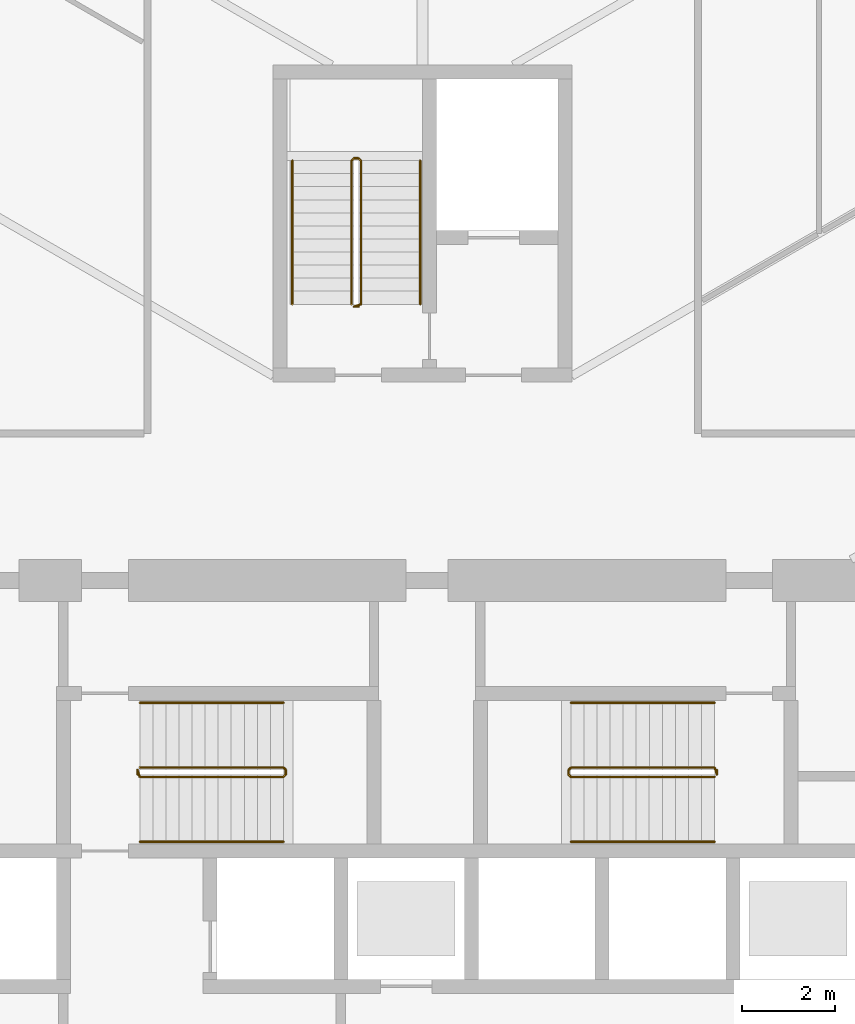
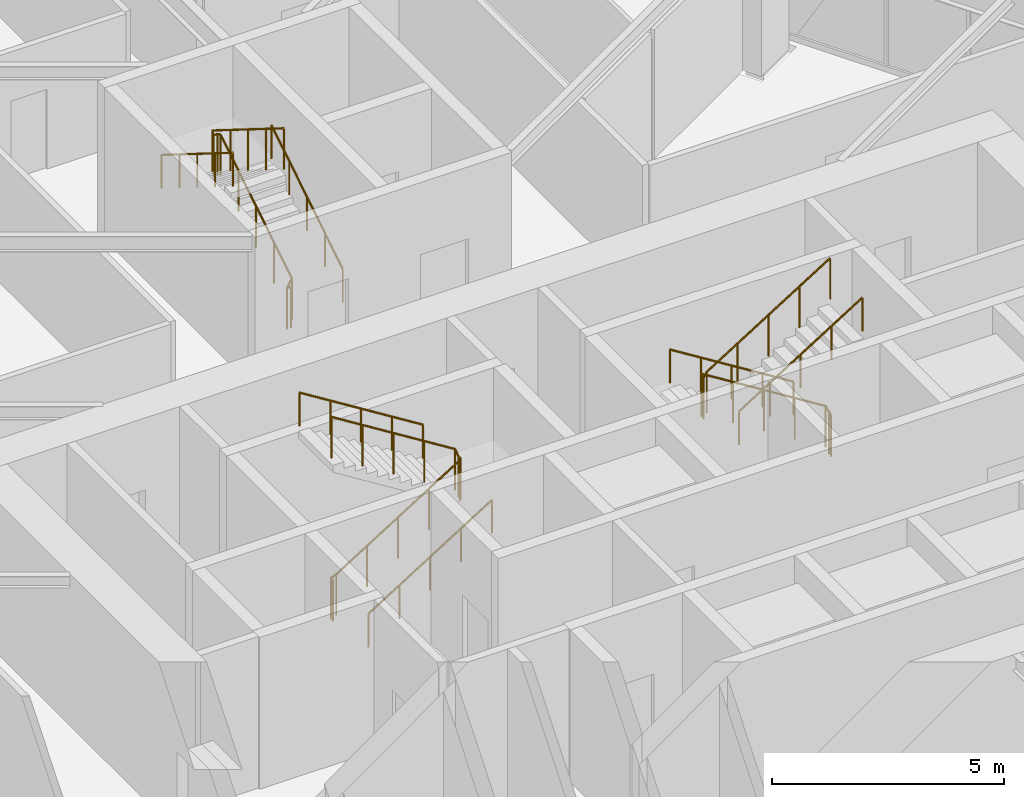
# One storey, part 25 of 26: 9 railings.
"""IFC4 building model written with IfcOpenShell, lengths in metres."""

from ifc_helpers import new_model, si_unit, direction, frame, origin, origin_2d, place, context, subcontext, project, spatial, circle, extrude, material, type_object, element, save


model = new_model("IFC4")

# Units and contexts
model_context = context("Model", 3, precision=1e-05, world=origin(), true_north=direction((0.0, 1.0)))
body_context = subcontext(model_context, "Body", "Model", "MODEL_VIEW")
ifc_project = project(units=[si_unit("LENGTHUNIT", "METRE"), si_unit("AREAUNIT", "SQUARE_METRE"), si_unit("VOLUMEUNIT", "CUBIC_METRE"), si_unit("PLANEANGLEUNIT", "RADIAN"), si_unit("MASSUNIT", "GRAM", prefix="KILO")], contexts=[model_context])

# Site, building, storey
site_placement = place(None, origin())
site = spatial("IfcSite", under=ifc_project, at=site_placement, CompositionType="ELEMENT")
building_placement = place(site_placement, origin())
building = spatial("IfcBuilding", under=site, at=building_placement, Name="Firuza Gate Tower and Library", CompositionType="ELEMENT")
storey_placement = place(building_placement, frame((0.0, 0.0, 40.0)))
storey = spatial("IfcBuildingStorey", under=building, at=storey_placement, Name="L08", CompositionType="ELEMENT", Elevation=40.0)

# Railings
ifc_material_1 = material(Name="Steel S355", Category="steel")
railing_type_1 = type_object("IfcRailingType", Name="Stair guard 1100", PredefinedType="GUARDRAIL", material=ifc_material_1)
railing_1_placement = place(storey_placement, frame((68.889892578125, 79.389892578125, 0.0)))
element("IfcRailing", 1, at=railing_1_placement, inside=storey, type_object=railing_type_1, Name="L08 ST1 stair guard 1", PredefinedType="GUARDRAIL", context=body_context, shape_type="SweptSolid", body=[
    extrude(circle(Radius=0.02392578125, at=origin_2d()), frame((0.0, 0.0, 1.076171875), z_axis=(0.0, 1.0, 0.0), x_axis=(-1.0, 0.0, 0.0)), (0.0, 0.0, 1.0), 0.10009765625),
    extrude(circle(Radius=0.02392578125, at=origin_2d()), frame((0.0, 0.10009765625, 1.076171875), z_axis=(0.21222055169, -0.635626432867, 0.742254319813), x_axis=(0.948528701346, 0.316691178788, 0.0)), (0.0, 0.0, 1.0), 0.23583984375),
    extrude(circle(Radius=0.02392578125, at=origin_2d()), frame((0.050048828125, -0.0498046875, 1.2509765625), z_axis=(0.847998304005, 0.0, 0.529998940003), x_axis=(0.0, 1.0, 0.0)), (0.0, 0.0, 1.0), 3.632080078125),
    extrude(circle(Radius=0.02392578125, at=origin_2d()), frame((3.130126953125, -0.0498046875, 3.17626953125), z_axis=(0.708833529934, 0.705375805398, 0.0), x_axis=(-0.705375805398, 0.708833529934, 0.0)), (0.0, 0.0, 1.0), 0.070556640625),
    extrude(circle(Radius=0.02392578125, at=origin_2d()), frame((3.18017578125, 0.0, 3.17626953125), z_axis=(0.0, 1.0, 0.0), x_axis=(-1.0, 0.0, 0.0)), (0.0, 0.0, 1.0), 0.10009765625),
    extrude(circle(Radius=0.02392578125, at=origin_2d()), frame((3.18017578125, 0.10009765625, 3.17626953125), z_axis=(-0.265383341853, 0.265383341853, 0.926899867156), x_axis=(-0.707106781187, -0.707106781187, 0.0)), (0.0, 0.0, 1.0), 0.1884765625),
    extrude(circle(Radius=0.02392578125, at=origin_2d()), frame((3.130126953125, 0.150146484375, 3.35107421875), z_axis=(-0.847998304005, 0.0, 0.529998940003), x_axis=(0.0, -1.0, 0.0)), (0.0, 0.0, 1.0), 3.632080078125),
    extrude(circle(Radius=0.02099609375, at=origin_2d()), origin(), (0.0, 0.0, 1.0), 1.052001953125),
    extrude(circle(Radius=0.02099609375, at=origin_2d()), frame((0.0, 0.10009765625, 0.0)), (0.0, 0.0, 1.0), 1.052001953125),
    extrude(circle(Radius=0.02099609375, at=origin_2d()), frame((0.050048828125, -0.0498046875, 0.175048828125)), (0.0, 0.0, 1.0), 1.052001953125),
    extrude(circle(Radius=0.02099609375, at=origin_2d()), frame((0.820068359375, -0.0498046875, 0.65625)), (0.0, 0.0, 1.0), 1.052001953125),
    extrude(circle(Radius=0.02099609375, at=origin_2d()), frame((1.590087890625, -0.0498046875, 1.1376953125)), (0.0, 0.0, 1.0), 1.052001953125),
    extrude(circle(Radius=0.02099609375, at=origin_2d()), frame((2.360107421875, -0.0498046875, 1.618896484375)), (0.0, 0.0, 1.0), 1.052001953125),
    extrude(circle(Radius=0.02099609375, at=origin_2d()), frame((3.130126953125, -0.0498046875, 2.10009765625)), (0.0, 0.0, 1.0), 1.052001953125),
    extrude(circle(Radius=0.02099609375, at=origin_2d()), frame((3.18017578125, 0.0, 2.10009765625)), (0.0, 0.0, 1.0), 1.052001953125),
    extrude(circle(Radius=0.02099609375, at=origin_2d()), frame((3.18017578125, 0.10009765625, 2.10009765625)), (0.0, 0.0, 1.0), 1.052001953125),
    extrude(circle(Radius=0.02099609375, at=origin_2d()), frame((3.130126953125, 0.150146484375, 2.27490234375)), (0.0, 0.0, 1.0), 1.052001953125),
    extrude(circle(Radius=0.02099609375, at=origin_2d()), frame((2.360107421875, 0.150146484375, 2.756103515625)), (0.0, 0.0, 1.0), 1.052001953125),
    extrude(circle(Radius=0.02099609375, at=origin_2d()), frame((1.590087890625, 0.150146484375, 3.2373046875)), (0.0, 0.0, 1.0), 1.052001953125),
    extrude(circle(Radius=0.02099609375, at=origin_2d()), frame((0.820068359375, 0.150146484375, 3.71875)), (0.0, 0.0, 1.0), 1.052001953125),
    extrude(circle(Radius=0.02099609375, at=origin_2d()), frame((0.050048828125, 0.150146484375, 4.199951171875)), (0.0, 0.0, 1.0), 1.052001953125),
])
railing_2_placement = place(storey_placement, frame((81.31005859375, 79.489990234375, 0.0)))
element("IfcRailing", 2, at=railing_2_placement, inside=storey, type_object=railing_type_1, Name="L08 ST2 stair guard 1", PredefinedType="GUARDRAIL", context=body_context, shape_type="SweptSolid", body=[
    extrude(circle(Radius=0.02392578125, at=origin_2d()), frame((0.0, 0.0, 1.076171875), z_axis=(0.0, -1.0, 0.0), x_axis=(1.0, 0.0, 0.0)), (0.0, 0.0, 1.0), 0.10009765625),
    extrude(circle(Radius=0.02392578125, at=origin_2d()), frame((0.0, -0.10009765625, 1.076171875), z_axis=(-0.212080931658, 0.636242794973, 0.741765990237), x_axis=(-0.948683298051, -0.316227766017, 0.0)), (0.0, 0.0, 1.0), 0.236083984375),
    extrude(circle(Radius=0.02392578125, at=origin_2d()), frame((-0.050048828125, 0.050048828125, 1.2509765625), z_axis=(-0.847998304005, 0.0, 0.529998940003), x_axis=(0.0, -1.0, 0.0)), (0.0, 0.0, 1.0), 3.632080078125),
    extrude(circle(Radius=0.02392578125, at=origin_2d()), frame((-3.130126953125, 0.050048828125, 3.17626953125), z_axis=(-0.707106781187, -0.707106781187, 0.0), x_axis=(0.707106781187, -0.707106781187, 0.0)), (0.0, 0.0, 1.0), 0.07080078125),
    extrude(circle(Radius=0.02392578125, at=origin_2d()), frame((-3.18017578125, 0.0, 3.17626953125), z_axis=(0.0, -1.0, 0.0), x_axis=(1.0, 0.0, 0.0)), (0.0, 0.0, 1.0), 0.10009765625),
    extrude(circle(Radius=0.02392578125, at=origin_2d()), frame((-3.18017578125, -0.10009765625, 3.17626953125), z_axis=(0.265474339444, -0.264179342666, 0.927217692888), x_axis=(0.705375805398, 0.708833529934, 0.0)), (0.0, 0.0, 1.0), 0.1884765625),
    extrude(circle(Radius=0.02392578125, at=origin_2d()), frame((-3.130126953125, -0.14990234375, 3.35107421875), z_axis=(0.847998304005, 0.0, 0.529998940003), x_axis=(0.0, 1.0, 0.0)), (0.0, 0.0, 1.0), 3.632080078125),
    extrude(circle(Radius=0.02099609375, at=origin_2d()), origin(), (0.0, 0.0, 1.0), 1.052001953125),
    extrude(circle(Radius=0.02099609375, at=origin_2d()), frame((0.0, -0.10009765625, 0.0)), (0.0, 0.0, 1.0), 1.052001953125),
    extrude(circle(Radius=0.02099609375, at=origin_2d()), frame((-0.050048828125, 0.050048828125, 0.175048828125)), (0.0, 0.0, 1.0), 1.052001953125),
    extrude(circle(Radius=0.02099609375, at=origin_2d()), frame((-0.820068359375, 0.050048828125, 0.65625)), (0.0, 0.0, 1.0), 1.052001953125),
    extrude(circle(Radius=0.02099609375, at=origin_2d()), frame((-1.590087890625, 0.050048828125, 1.1376953125)), (0.0, 0.0, 1.0), 1.052001953125),
    extrude(circle(Radius=0.02099609375, at=origin_2d()), frame((-2.360107421875, 0.050048828125, 1.618896484375)), (0.0, 0.0, 1.0), 1.052001953125),
    extrude(circle(Radius=0.02099609375, at=origin_2d()), frame((-3.130126953125, 0.050048828125, 2.10009765625)), (0.0, 0.0, 1.0), 1.052001953125),
    extrude(circle(Radius=0.02099609375, at=origin_2d()), frame((-3.18017578125, 0.0, 2.10009765625)), (0.0, 0.0, 1.0), 1.052001953125),
    extrude(circle(Radius=0.02099609375, at=origin_2d()), frame((-3.18017578125, -0.10009765625, 2.10009765625)), (0.0, 0.0, 1.0), 1.052001953125),
    extrude(circle(Radius=0.02099609375, at=origin_2d()), frame((-3.130126953125, -0.14990234375, 2.27490234375)), (0.0, 0.0, 1.0), 1.052001953125),
    extrude(circle(Radius=0.02099609375, at=origin_2d()), frame((-2.360107421875, -0.14990234375, 2.756103515625)), (0.0, 0.0, 1.0), 1.052001953125),
    extrude(circle(Radius=0.02099609375, at=origin_2d()), frame((-1.590087890625, -0.14990234375, 3.2373046875)), (0.0, 0.0, 1.0), 1.052001953125),
    extrude(circle(Radius=0.02099609375, at=origin_2d()), frame((-0.820068359375, -0.14990234375, 3.71875)), (0.0, 0.0, 1.0), 1.052001953125),
    extrude(circle(Radius=0.02099609375, at=origin_2d()), frame((-0.050048828125, -0.14990234375, 4.199951171875)), (0.0, 0.0, 1.0), 1.052001953125),
])
railing_3_placement = place(storey_placement, frame((73.6298828125, 89.419921875, 0.0)))
element("IfcRailing", 3, at=railing_3_placement, inside=storey, type_object=railing_type_1, Name="L08 ST3 stair guard 1", PredefinedType="GUARDRAIL", context=body_context, shape_type="SweptSolid", body=[
    extrude(circle(Radius=0.02392578125, at=origin_2d()), frame((0.0, 0.0, 1.076171875), z_axis=(-1.0, 0.0, 0.0), x_axis=(0.0, -1.0, 0.0)), (0.0, 0.0, 1.0), 0.099853515625),
    extrude(circle(Radius=0.02392578125, at=origin_2d()), frame((-0.099853515625, 0.0, 1.076171875), z_axis=(0.635626432867, 0.21222055169, 0.742254319813), x_axis=(-0.316691178788, 0.948528701346, 0.0)), (0.0, 0.0, 1.0), 0.23583984375),
    extrude(circle(Radius=0.02392578125, at=origin_2d()), frame((0.050048828125, 0.050048828125, 1.2509765625), z_axis=(0.0, 0.847998304005, 0.529998940003), x_axis=(-1.0, 0.0, 0.0)), (0.0, 0.0, 1.0), 3.632080078125),
    extrude(circle(Radius=0.02392578125, at=origin_2d()), frame((0.050048828125, 3.130126953125, 3.17626953125), z_axis=(-0.707106781187, 0.707106781187, 0.0), x_axis=(-0.707106781187, -0.707106781187, 0.0)), (0.0, 0.0, 1.0), 0.07080078125),
    extrude(circle(Radius=0.02392578125, at=origin_2d()), frame((0.0, 3.18017578125, 3.17626953125), z_axis=(-1.0, 0.0, 0.0), x_axis=(0.0, -1.0, 0.0)), (0.0, 0.0, 1.0), 0.099853515625),
    extrude(circle(Radius=0.02392578125, at=origin_2d()), frame((-0.099853515625, 3.18017578125, 3.17626953125), z_axis=(-0.265383341853, -0.265383341853, 0.926899867156), x_axis=(0.707106781187, -0.707106781187, 0.0)), (0.0, 0.0, 1.0), 0.1884765625),
    extrude(circle(Radius=0.02392578125, at=origin_2d()), frame((-0.14990234375, 3.130126953125, 3.35107421875), z_axis=(0.0, -0.847998304005, 0.529998940003), x_axis=(1.0, 0.0, 0.0)), (0.0, 0.0, 1.0), 3.632080078125),
    extrude(circle(Radius=0.02099609375, at=origin_2d()), origin(), (0.0, 0.0, 1.0), 1.052001953125),
    extrude(circle(Radius=0.02099609375, at=origin_2d()), frame((-0.099853515625, 0.0, 0.0)), (0.0, 0.0, 1.0), 1.052001953125),
    extrude(circle(Radius=0.02099609375, at=origin_2d()), frame((0.050048828125, 0.050048828125, 0.175048828125)), (0.0, 0.0, 1.0), 1.052001953125),
    extrude(circle(Radius=0.02099609375, at=origin_2d()), frame((0.050048828125, 0.820068359375, 0.65625)), (0.0, 0.0, 1.0), 1.052001953125),
    extrude(circle(Radius=0.02099609375, at=origin_2d()), frame((0.050048828125, 1.590087890625, 1.1376953125)), (0.0, 0.0, 1.0), 1.052001953125),
    extrude(circle(Radius=0.02099609375, at=origin_2d()), frame((0.050048828125, 2.360107421875, 1.618896484375)), (0.0, 0.0, 1.0), 1.052001953125),
    extrude(circle(Radius=0.02099609375, at=origin_2d()), frame((0.050048828125, 3.130126953125, 2.10009765625)), (0.0, 0.0, 1.0), 1.052001953125),
    extrude(circle(Radius=0.02099609375, at=origin_2d()), frame((0.0, 3.18017578125, 2.10009765625)), (0.0, 0.0, 1.0), 1.052001953125),
    extrude(circle(Radius=0.02099609375, at=origin_2d()), frame((-0.099853515625, 3.18017578125, 2.10009765625)), (0.0, 0.0, 1.0), 1.052001953125),
    extrude(circle(Radius=0.02099609375, at=origin_2d()), frame((-0.14990234375, 3.130126953125, 2.27490234375)), (0.0, 0.0, 1.0), 1.052001953125),
    extrude(circle(Radius=0.02099609375, at=origin_2d()), frame((-0.14990234375, 2.360107421875, 2.756103515625)), (0.0, 0.0, 1.0), 1.052001953125),
    extrude(circle(Radius=0.02099609375, at=origin_2d()), frame((-0.14990234375, 1.590087890625, 3.2373046875)), (0.0, 0.0, 1.0), 1.052001953125),
    extrude(circle(Radius=0.02099609375, at=origin_2d()), frame((-0.14990234375, 0.820068359375, 3.71875)), (0.0, 0.0, 1.0), 1.052001953125),
    extrude(circle(Radius=0.02099609375, at=origin_2d()), frame((-0.14990234375, 0.050048828125, 4.199951171875)), (0.0, 0.0, 1.0), 1.052001953125),
])
ifc_material_2 = material(Name="Steel S355", Category="steel")
railing_type_2 = type_object("IfcRailingType", Name="Stair handrail 900", PredefinedType="HANDRAIL", material=ifc_material_2)
railing_4_placement = place(storey_placement, frame((68.93994140625, 77.949951171875, 0.175048828125)))
element("IfcRailing", 4, at=railing_4_placement, inside=storey, type_object=railing_type_2, Name="L08 ST1 stair handrail 1", PredefinedType="HANDRAIL", context=body_context, shape_type="SweptSolid", body=[
    extrude(circle(Radius=0.02392578125, at=origin_2d()), frame((0.0, 0.0, 0.8759765625), z_axis=(0.847998304005, 0.0, 0.529998940003), x_axis=(0.0, 1.0, 0.0)), (0.0, 0.0, 1.0), 3.632080078125),
    extrude(circle(Radius=0.02099609375, at=origin_2d()), origin(), (0.0, 0.0, 1.0), 0.851806640625),
    extrude(circle(Radius=0.02099609375, at=origin_2d()), frame((0.77001953125, 0.0, 0.481201171875)), (0.0, 0.0, 1.0), 0.851806640625),
    extrude(circle(Radius=0.02099609375, at=origin_2d()), frame((1.5400390625, 0.0, 0.96240234375)), (0.0, 0.0, 1.0), 0.851806640625),
    extrude(circle(Radius=0.02099609375, at=origin_2d()), frame((2.31005859375, 0.0, 1.44384765625)), (0.0, 0.0, 1.0), 0.851806640625),
    extrude(circle(Radius=0.02099609375, at=origin_2d()), frame((3.080078125, 0.0, 1.925048828125)), (0.0, 0.0, 1.0), 0.851806640625),
])
for number, where, name in (
    (5, (72.02001953125, 80.929931640625, 2.27490234375), "L08 ST1 stair handrail 2"),
    (6, (81.260009765625, 80.929931640625, 0.175048828125), "L08 ST2 stair handrail 1"),
):
    element("IfcRailing", number, at=place(storey_placement, frame(where)), inside=storey, type_object=railing_type_2, Name=name, PredefinedType="HANDRAIL", context=body_context, shape_type="SweptSolid", body=[
        extrude(circle(Radius=0.02392578125, at=origin_2d()), frame((0.0, 0.0, 0.8759765625), z_axis=(-0.847998304005, 0.0, 0.529998940003), x_axis=(0.0, -1.0, 0.0)), (0.0, 0.0, 1.0), 3.632080078125),
        extrude(circle(Radius=0.02099609375, at=origin_2d()), origin(), (0.0, 0.0, 1.0), 0.851806640625),
        extrude(circle(Radius=0.02099609375, at=origin_2d()), frame((-0.77001953125, 0.0, 0.481201171875)), (0.0, 0.0, 1.0), 0.851806640625),
        extrude(circle(Radius=0.02099609375, at=origin_2d()), frame((-1.5400390625, 0.0, 0.96240234375)), (0.0, 0.0, 1.0), 0.851806640625),
        extrude(circle(Radius=0.02099609375, at=origin_2d()), frame((-2.31005859375, 0.0, 1.44384765625)), (0.0, 0.0, 1.0), 0.851806640625),
        extrude(circle(Radius=0.02099609375, at=origin_2d()), frame((-3.080078125, 0.0, 1.925048828125)), (0.0, 0.0, 1.0), 0.851806640625),
    ])
railing_5_placement = place(storey_placement, frame((78.179931640625, 77.949951171875, 2.27490234375)))
element("IfcRailing", 7, at=railing_5_placement, inside=storey, type_object=railing_type_2, Name="L08 ST2 stair handrail 2", PredefinedType="HANDRAIL", context=body_context, shape_type="SweptSolid", body=[
    extrude(circle(Radius=0.02392578125, at=origin_2d()), frame((0.0, 0.0, 0.8759765625), z_axis=(0.847998304005, 0.0, 0.529998940003), x_axis=(0.0, 1.0, 0.0)), (0.0, 0.0, 1.0), 3.632080078125),
    extrude(circle(Radius=0.02099609375, at=origin_2d()), origin(), (0.0, 0.0, 1.0), 0.851806640625),
    extrude(circle(Radius=0.02099609375, at=origin_2d()), frame((0.77001953125, 0.0, 0.481201171875)), (0.0, 0.0, 1.0), 0.851806640625),
    extrude(circle(Radius=0.02099609375, at=origin_2d()), frame((1.5400390625, 0.0, 0.96240234375)), (0.0, 0.0, 1.0), 0.851806640625),
    extrude(circle(Radius=0.02099609375, at=origin_2d()), frame((2.31005859375, 0.0, 1.44384765625)), (0.0, 0.0, 1.0), 0.851806640625),
    extrude(circle(Radius=0.02099609375, at=origin_2d()), frame((3.080078125, 0.0, 1.925048828125)), (0.0, 0.0, 1.0), 0.851806640625),
])
railing_6_placement = place(storey_placement, frame((74.949951171875, 89.469970703125, 0.175048828125)))
element("IfcRailing", 8, at=railing_6_placement, inside=storey, type_object=railing_type_2, Name="L08 ST3 stair handrail 1", PredefinedType="HANDRAIL", context=body_context, shape_type="SweptSolid", body=[
    extrude(circle(Radius=0.02392578125, at=origin_2d()), frame((0.0, 0.0, 0.8759765625), z_axis=(0.0, 0.847998304005, 0.529998940003), x_axis=(-1.0, 0.0, 0.0)), (0.0, 0.0, 1.0), 3.632080078125),
    extrude(circle(Radius=0.02099609375, at=origin_2d()), origin(), (0.0, 0.0, 1.0), 0.851806640625),
    extrude(circle(Radius=0.02099609375, at=origin_2d()), frame((0.0, 0.77001953125, 0.481201171875)), (0.0, 0.0, 1.0), 0.851806640625),
    extrude(circle(Radius=0.02099609375, at=origin_2d()), frame((0.0, 1.5400390625, 0.96240234375)), (0.0, 0.0, 1.0), 0.851806640625),
    extrude(circle(Radius=0.02099609375, at=origin_2d()), frame((0.0, 2.31005859375, 1.44384765625)), (0.0, 0.0, 1.0), 0.851806640625),
    extrude(circle(Radius=0.02099609375, at=origin_2d()), frame((0.0, 3.080078125, 1.925048828125)), (0.0, 0.0, 1.0), 0.851806640625),
])
railing_7_placement = place(storey_placement, frame((72.2099609375, 92.550048828125, 2.27490234375)))
element("IfcRailing", 9, at=railing_7_placement, inside=storey, type_object=railing_type_2, Name="L08 ST3 stair handrail 2", PredefinedType="HANDRAIL", context=body_context, shape_type="SweptSolid", body=[
    extrude(circle(Radius=0.02392578125, at=origin_2d()), frame((0.0, 0.0, 0.8759765625), z_axis=(0.0, -0.847998304005, 0.529998940003), x_axis=(1.0, 0.0, 0.0)), (0.0, 0.0, 1.0), 3.632080078125),
    extrude(circle(Radius=0.02099609375, at=origin_2d()), origin(), (0.0, 0.0, 1.0), 0.851806640625),
    extrude(circle(Radius=0.02099609375, at=origin_2d()), frame((0.0, -0.77001953125, 0.481201171875)), (0.0, 0.0, 1.0), 0.851806640625),
    extrude(circle(Radius=0.02099609375, at=origin_2d()), frame((0.0, -1.5400390625, 0.96240234375)), (0.0, 0.0, 1.0), 0.851806640625),
    extrude(circle(Radius=0.02099609375, at=origin_2d()), frame((0.0, -2.31005859375, 1.44384765625)), (0.0, 0.0, 1.0), 0.851806640625),
    extrude(circle(Radius=0.02099609375, at=origin_2d()), frame((0.0, -3.080078125, 1.925048828125)), (0.0, 0.0, 1.0), 0.851806640625),
])

save(model, "model.ifc")
